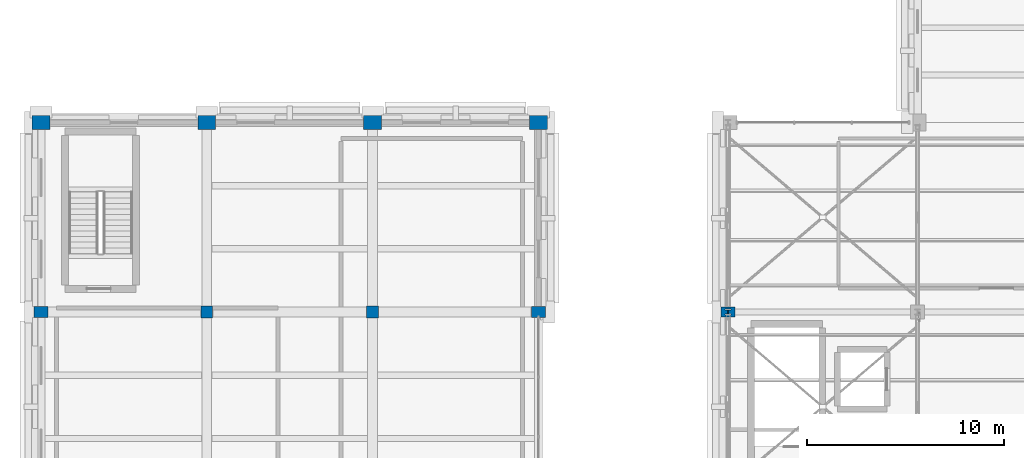
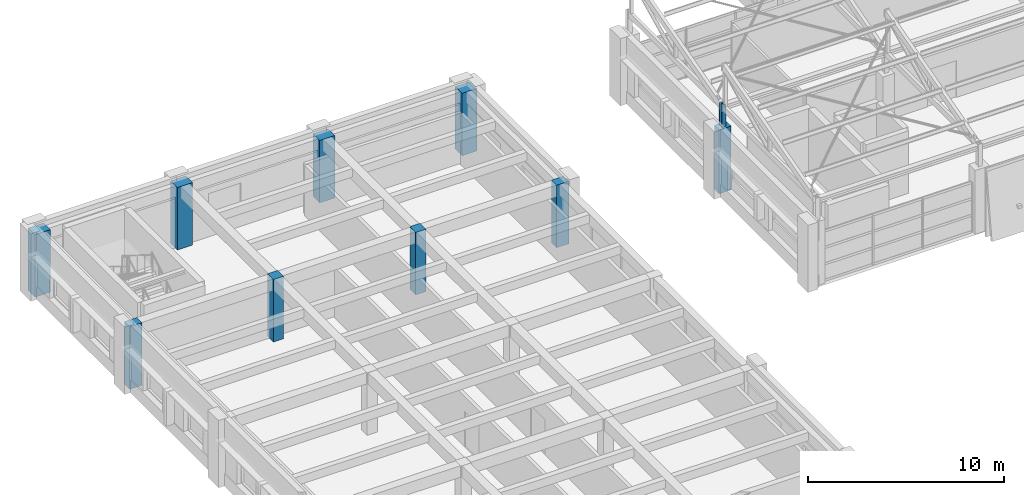
# One storey, part 5 of 58: 10 columns.
"""IFC4 building model written with IfcOpenShell, lengths in metres."""

from ifc_helpers import new_model, si_unit, direction, frame, origin, origin_2d, place, context, subcontext, project, spatial, rectangle, i_section, extrude, material, material_profile, profile_set, type_object, element, save


model = new_model("IFC4")

# Units and contexts
model_context = context("Model", 3, precision=1e-05, world=origin(), true_north=direction((0.0, 1.0)))
body_context = subcontext(model_context, "Body", "Model", "MODEL_VIEW")
ifc_project = project(units=[si_unit("LENGTHUNIT", "METRE"), si_unit("AREAUNIT", "SQUARE_METRE"), si_unit("VOLUMEUNIT", "CUBIC_METRE"), si_unit("PLANEANGLEUNIT", "RADIAN"), si_unit("MASSUNIT", "GRAM", prefix="KILO")], contexts=[model_context])

# Site, building, storey
site_placement = place(None, origin())
site = spatial("IfcSite", under=ifc_project, at=site_placement, CompositionType="ELEMENT")
building_placement = place(site_placement, origin())
building = spatial("IfcBuilding", under=site, at=building_placement, Name="Bempovik Park Faculty of Sciences", CompositionType="ELEMENT")
storey_placement = place(building_placement, frame((0.0, 0.0, 18.300048828125)))
storey = spatial("IfcBuildingStorey", under=building, at=storey_placement, Name="L04", CompositionType="ELEMENT", Elevation=18.300048828125)

# Columns
ifc_material_1 = material(Name="Concrete C40/50", Category="concrete")
ifc_material_profile_1 = material_profile(ifc_material_1, rectangle(XDim=0.719970703125, YDim=0.5400390625, at=origin_2d()), Name="RC 720x540")
ifc_profile_set_1 = profile_set([ifc_material_profile_1], Name="Concrete C40/50")
column_type_1 = type_object("IfcColumnType", Name="C-18 RC 720x540", PredefinedType="COLUMN", material=ifc_profile_set_1)
for number, where, z_axis, x_axis, name in (
    (1, (15.60009765625, 77.39990234375, 0.0), (0.0, 0.0, 1.0), (1.0, 0.0, 0.0), "L04 Structural Column (15.6,77.4)"),
    (2, (40.800048828125, 77.39990234375, 0.0), (0.0, 0.0, 1.0), (1.0, 0.0, 0.0), "L04 Structural Column (40.8,77.4)"),
):
    element("IfcColumn", number, at=place(storey_placement, frame(where, z_axis=z_axis, x_axis=x_axis)), inside=storey, type_object=column_type_1, Name=name, PredefinedType="COLUMN", context=body_context, shape_type="SweptSolid", body=[
        extrude(rectangle(XDim=0.719970703125, YDim=0.5400390625, at=origin_2d()), origin(), (0.0, 0.0, 1.0), 3.89990234375),
    ])
ifc_material_profile_2 = material_profile(ifc_material_1, rectangle(XDim=0.60009765625, YDim=0.60009765625, at=origin_2d()), Name="RC 600x600")
ifc_profile_set_2 = profile_set([ifc_material_profile_2], Name="Concrete C40/50")
column_type_2 = type_object("IfcColumnType", Name="C-21 RC 600x600", PredefinedType="COLUMN", material=ifc_profile_set_2)
for number, where, z_axis, x_axis, name in (
    (3, (24.0, 77.39990234375, 0.0), (0.0, 0.0, 1.0), (1.0, 0.0, 0.0), "L04 Structural Column (24.0,77.4)"),
    (4, (32.39990234375, 77.39990234375, 0.0), (0.0, 0.0, 1.0), (1.0, 0.0, 0.0), "L04 Structural Column (32.4,77.4)"),
):
    element("IfcColumn", number, at=place(storey_placement, frame(where, z_axis=z_axis, x_axis=x_axis)), inside=storey, type_object=column_type_2, Name=name, PredefinedType="COLUMN", context=body_context, shape_type="SweptSolid", body=[
        extrude(rectangle(XDim=0.60009765625, YDim=0.60009765625, at=origin_2d()), origin(), (0.0, 0.0, 1.0), 3.89990234375),
    ])
ifc_material_profile_3 = material_profile(ifc_material_1, rectangle(XDim=0.89990234375, YDim=0.699951171875, at=origin_2d()), Name="RC 900x700")
ifc_profile_set_3 = profile_set([ifc_material_profile_3], Name="Concrete C40/50")
column_type_3 = type_object("IfcColumnType", Name="C-25 RC 900x700", PredefinedType="COLUMN", material=ifc_profile_set_3)
for number, where, z_axis, x_axis, name in (
    (5, (15.60009765625, 87.0, 0.0), (0.0, 0.0, 1.0), (1.0, 0.0, 0.0), "L04 Structural Column (15.6,87.0)"),
    (6, (24.0, 87.0, 0.0), (0.0, 0.0, 1.0), (1.0, 0.0, 0.0), "L04 Structural Column (24.0,87.0)"),
    (7, (32.39990234375, 87.0, 0.0), (0.0, 0.0, 1.0), (1.0, 0.0, 0.0), "L04 Structural Column (32.4,87.0)"),
    (8, (40.800048828125, 87.0, 0.0), (0.0, 0.0, 1.0), (1.0, 0.0, 0.0), "L04 Structural Column (40.8,87.0)"),
):
    element("IfcColumn", number, at=place(storey_placement, frame(where, z_axis=z_axis, x_axis=x_axis)), inside=storey, type_object=column_type_3, Name=name, PredefinedType="COLUMN", context=body_context, shape_type="SweptSolid", body=[
        extrude(rectangle(XDim=0.89990234375, YDim=0.699951171875, at=origin_2d()), origin(), (0.0, 0.0, 1.0), 3.89990234375),
    ])
ifc_material_profile_4 = material_profile(ifc_material_1, rectangle(XDim=0.699951171875, YDim=0.5, at=origin_2d()), Name="RC 700x500")
ifc_profile_set_4 = profile_set([ifc_material_profile_4], Name="Concrete C40/50")
column_type_4 = type_object("IfcColumnType", Name="C-75 RC 700x500", PredefinedType="COLUMN", material=ifc_profile_set_4)
column_1_placement = place(storey_placement, frame((50.39990234375, 77.39990234375, 0.0), z_axis=(0.0, 0.0, 1.0), x_axis=(1.0, 0.0, 0.0)))
element("IfcColumn", 9, at=column_1_placement, inside=storey, type_object=column_type_4, Name="L04 Structural Column (50.4,77.4)", PredefinedType="COLUMN", context=body_context, shape_type="SweptSolid", body=[
    extrude(rectangle(XDim=0.699951171875, YDim=0.5, at=origin_2d()), origin(), (0.0, 0.0, 1.0), 3.97998046875),
])
ifc_material_2 = material(Name="Steel S355", Category="steel")
ifc_material_profile_5 = material_profile(ifc_material_2, i_section(OverallWidth=0.260009765625, OverallDepth=0.260009765625, WebThickness=0.010009765625, FlangeThickness=0.017578125, at=origin_2d()), Name="HEB 260")
ifc_profile_set_5 = profile_set([ifc_material_profile_5], Name="Steel S355")
column_type_5 = type_object("IfcColumnType", Name="C-80 HEB 260", PredefinedType="COLUMN", material=ifc_profile_set_5)
column_2_placement = place(storey_placement, frame((50.39990234375, 77.39990234375, 3.98583984375), z_axis=(0.0, 0.0, 1.0), x_axis=(1.0, 0.0, 0.0)))
element("IfcColumn", 10, at=column_2_placement, inside=storey, type_object=column_type_5, Name="Sawtooth Clerestory Steel Column V2 (50.4,77.4)", PredefinedType="COLUMN", context=body_context, shape_type="SweptSolid", body=[
    extrude(i_section(OverallWidth=0.260009765625, OverallDepth=0.260009765625, WebThickness=0.010009765625, FlangeThickness=0.017578125, at=origin_2d()), origin(), (0.0, 0.0, 1.0), 1.38916015625),
])

save(model, "model.ifc")
